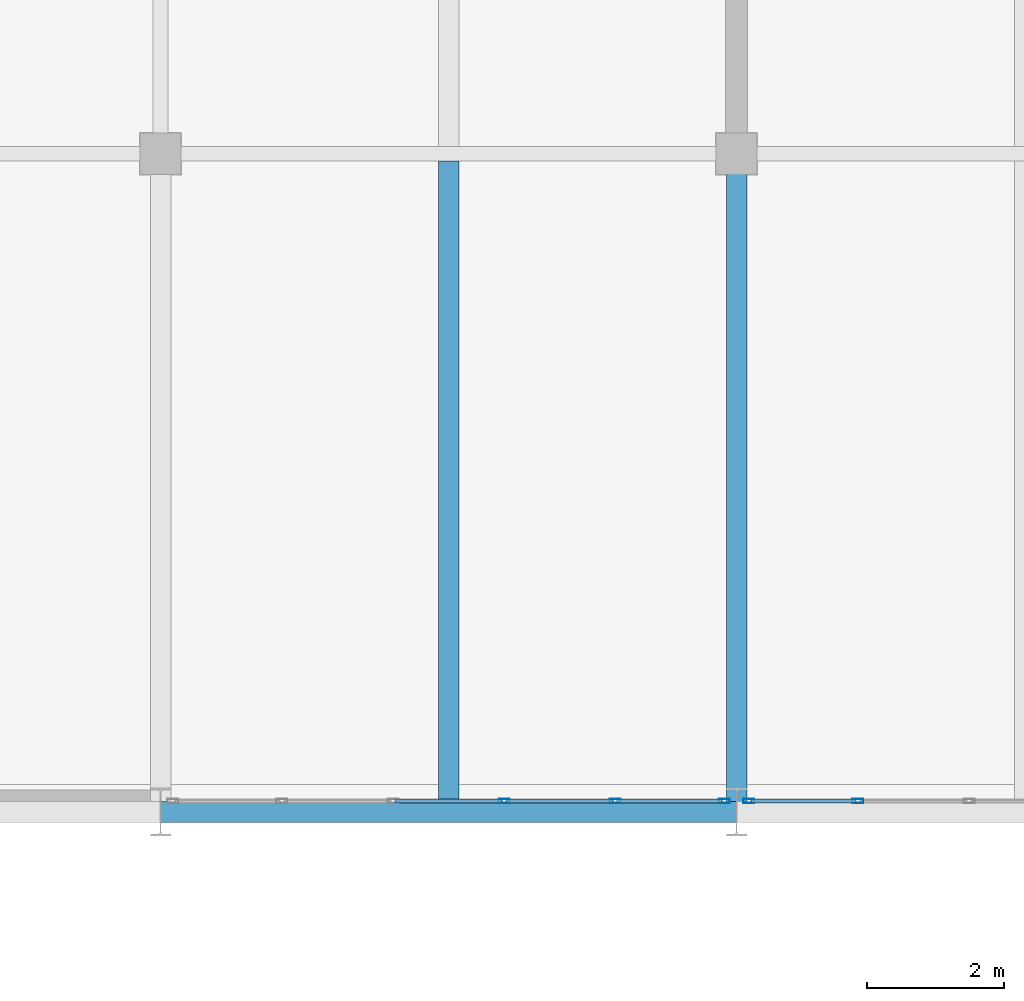
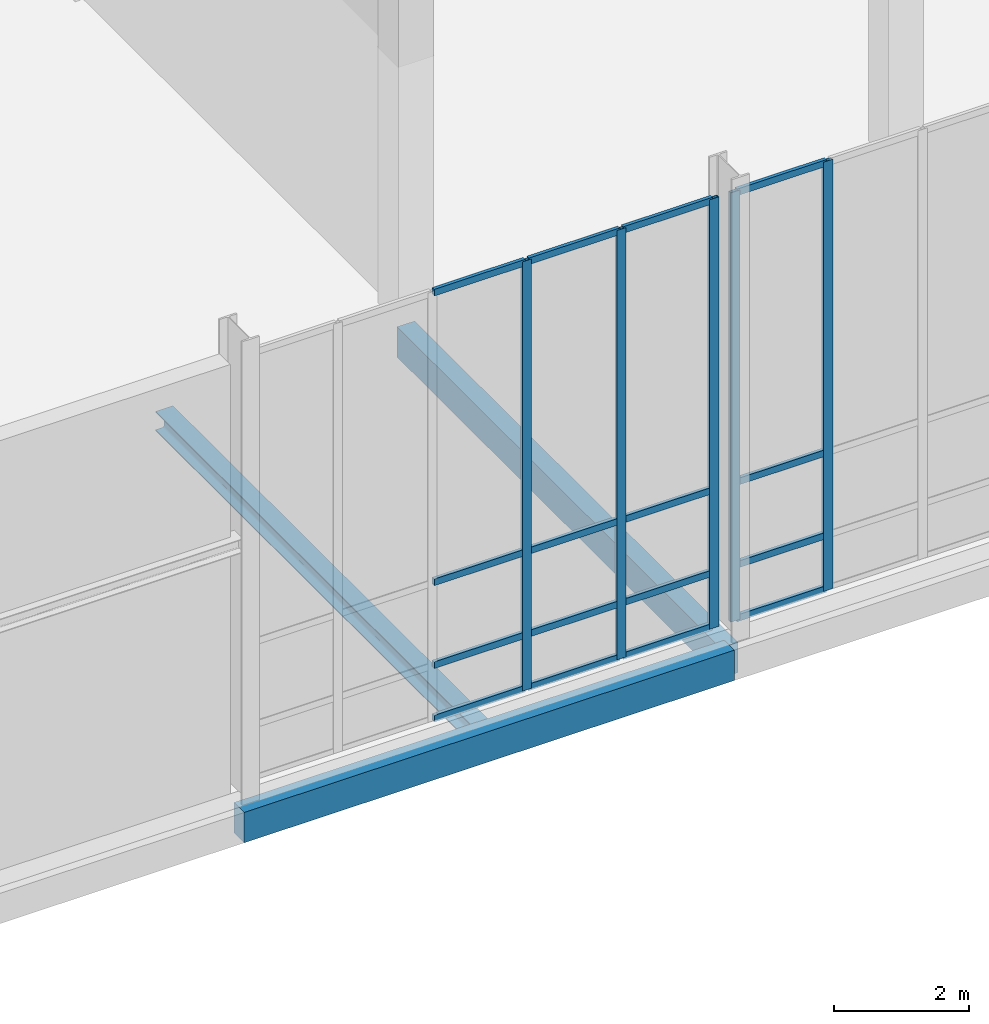
# One storey, part 29 of 131: 21 members, 3 beams, 2 elements without a shape of their own.
"""IFC4 building model written with IfcOpenShell, lengths in metres."""

from ifc_helpers import new_model, si_unit, direction, frame, origin, origin_2d, place, context, subcontext, project, spatial, rectangle, hollow_rectangle, i_section, extrude, material, material_profile, profile_set, type_object, element, aggregate, save


model = new_model("IFC4")

# Units and contexts
model_context = context("Model", 3, precision=1e-05, world=origin(), true_north=direction((0.0, 1.0)))
body_context = subcontext(model_context, "Body", "Model", "MODEL_VIEW")
ifc_project = project(units=[si_unit("LENGTHUNIT", "METRE"), si_unit("AREAUNIT", "SQUARE_METRE"), si_unit("VOLUMEUNIT", "CUBIC_METRE"), si_unit("PLANEANGLEUNIT", "RADIAN"), si_unit("MASSUNIT", "GRAM", prefix="KILO")], contexts=[model_context])

# Site, building, storey
site_placement = place(None, origin())
site = spatial("IfcSite", under=ifc_project, at=site_placement, CompositionType="ELEMENT")
building_placement = place(site_placement, origin())
building = spatial("IfcBuilding", under=site, at=building_placement, Name="Veltarok Museum of Natural Sciences", CompositionType="ELEMENT")
storey_placement = place(building_placement, origin())
storey = spatial("IfcBuildingStorey", under=building, at=storey_placement, Name="L00", CompositionType="ELEMENT", Elevation=0.0)

# Curtain wall, members
ifc_material_1 = material(Name="Low-iron triple insulated glass", Category="glass")
curtain_wall_type_1 = type_object("IfcCurtainWallType", Name="Curtain Wall System CW-V5S-L00-15-810x778 (V5 South Lab Curtain Wall L00 15-16 810x778cm)", PredefinedType="NOTDEFINED", material=ifc_material_1)
curtain_wall_1_placement = place(storey_placement, origin())
curtain_wall_1 = element("IfcCurtainWall", 1, at=curtain_wall_1_placement, inside=storey, type_object=curtain_wall_type_1, Name="Curtain Wall CW-V5S-L00-15-810x778 CW-0086", PredefinedType="NOTDEFINED")
ifc_material_2 = material(Name="Thermally broken anodised aluminium", Category="aluminium")
ifc_material_profile_1 = material_profile(ifc_material_2, hollow_rectangle(XDim=0.06005859375, YDim=0.1201171875, WallThickness=0.0048828125, at=origin_2d()), Name="CW TRANSOM 60x120x5")
ifc_profile_set_1 = profile_set([ifc_material_profile_1], Name="Thermally broken anodised aluminium")
member_type_1 = type_object("IfcMemberType", Name="Curtain Wall Horizontal Transom 60x120x5", PredefinedType="USERDEFINED", material=ifc_profile_set_1)
member_1_placement = place(storey_placement, frame((127.419921875, 0.159912109375, 0.030029296875), z_axis=(1.0, 0.0, 0.0), x_axis=(0.0, 1.0, 0.0)))
member_1 = element("IfcMember", 2, at=member_1_placement, type_object=member_type_1, Name="CW-V5S-L00-15-810x778 transom 3.1", ObjectType="TRANSOM", PredefinedType="USERDEFINED", context=body_context, shape_type="SweptSolid", body=[
    extrude(hollow_rectangle(XDim=0.06005859375, YDim=0.1201171875, WallThickness=0.0048828125, at=origin_2d()), origin(), (0.0, 0.0, 1.0), 1.56005859375),
])
member_2_placement = place(storey_placement, frame((127.419921875, 0.159912109375, 1.0), z_axis=(1.0, 0.0, 0.0), x_axis=(0.0, 1.0, 0.0)))
member_2 = element("IfcMember", 3, at=member_2_placement, type_object=member_type_1, Name="CW-V5S-L00-15-810x778 transom 3.2", ObjectType="TRANSOM", PredefinedType="USERDEFINED", context=body_context, shape_type="SweptSolid", body=[
    extrude(hollow_rectangle(XDim=0.06005859375, YDim=0.1201171875, WallThickness=0.0048828125, at=origin_2d()), origin(), (0.0, 0.0, 1.0), 1.56005859375),
])
member_3_placement = place(storey_placement, frame((127.419921875, 0.159912109375, 2.5), z_axis=(1.0, 0.0, 0.0), x_axis=(0.0, 1.0, 0.0)))
member_3 = element("IfcMember", 4, at=member_3_placement, type_object=member_type_1, Name="CW-V5S-L00-15-810x778 transom 3.3", ObjectType="TRANSOM", PredefinedType="USERDEFINED", context=body_context, shape_type="SweptSolid", body=[
    extrude(hollow_rectangle(XDim=0.06005859375, YDim=0.1201171875, WallThickness=0.0048828125, at=origin_2d()), origin(), (0.0, 0.0, 1.0), 1.56005859375),
])
member_4_placement = place(storey_placement, frame((127.419921875, 0.159912109375, 7.75), z_axis=(1.0, 0.0, 0.0), x_axis=(0.0, 1.0, 0.0)))
member_4 = element("IfcMember", 5, at=member_4_placement, type_object=member_type_1, Name="CW-V5S-L00-15-810x778 transom 3.4", ObjectType="TRANSOM", PredefinedType="USERDEFINED", context=body_context, shape_type="SweptSolid", body=[
    extrude(hollow_rectangle(XDim=0.06005859375, YDim=0.1201171875, WallThickness=0.0048828125, at=origin_2d()), origin(), (0.0, 0.0, 1.0), 1.56005859375),
])
member_5_placement = place(storey_placement, frame((129.0400390625, 0.159912109375, 0.030029296875), z_axis=(1.0, 0.0, 0.0), x_axis=(0.0, 1.0, 0.0)))
member_5 = element("IfcMember", 6, at=member_5_placement, type_object=member_type_1, Name="CW-V5S-L00-15-810x778 transom 4.1", ObjectType="TRANSOM", PredefinedType="USERDEFINED", context=body_context, shape_type="SweptSolid", body=[
    extrude(hollow_rectangle(XDim=0.06005859375, YDim=0.1201171875, WallThickness=0.0048828125, at=origin_2d()), origin(), (0.0, 0.0, 1.0), 1.56005859375),
])
member_6_placement = place(storey_placement, frame((129.0400390625, 0.159912109375, 1.0), z_axis=(1.0, 0.0, 0.0), x_axis=(0.0, 1.0, 0.0)))
member_6 = element("IfcMember", 7, at=member_6_placement, type_object=member_type_1, Name="CW-V5S-L00-15-810x778 transom 4.2", ObjectType="TRANSOM", PredefinedType="USERDEFINED", context=body_context, shape_type="SweptSolid", body=[
    extrude(hollow_rectangle(XDim=0.06005859375, YDim=0.1201171875, WallThickness=0.0048828125, at=origin_2d()), origin(), (0.0, 0.0, 1.0), 1.56005859375),
])
member_7_placement = place(storey_placement, frame((129.0400390625, 0.159912109375, 2.5), z_axis=(1.0, 0.0, 0.0), x_axis=(0.0, 1.0, 0.0)))
member_7 = element("IfcMember", 8, at=member_7_placement, type_object=member_type_1, Name="CW-V5S-L00-15-810x778 transom 4.3", ObjectType="TRANSOM", PredefinedType="USERDEFINED", context=body_context, shape_type="SweptSolid", body=[
    extrude(hollow_rectangle(XDim=0.06005859375, YDim=0.1201171875, WallThickness=0.0048828125, at=origin_2d()), origin(), (0.0, 0.0, 1.0), 1.56005859375),
])
member_8_placement = place(storey_placement, frame((129.0400390625, 0.159912109375, 7.75), z_axis=(1.0, 0.0, 0.0), x_axis=(0.0, 1.0, 0.0)))
member_8 = element("IfcMember", 9, at=member_8_placement, type_object=member_type_1, Name="CW-V5S-L00-15-810x778 transom 4.4", ObjectType="TRANSOM", PredefinedType="USERDEFINED", context=body_context, shape_type="SweptSolid", body=[
    extrude(hollow_rectangle(XDim=0.06005859375, YDim=0.1201171875, WallThickness=0.0048828125, at=origin_2d()), origin(), (0.0, 0.0, 1.0), 1.56005859375),
])
member_9_placement = place(storey_placement, frame((130.659912109375, 0.159912109375, 0.030029296875), z_axis=(1.0, 0.0, 0.0), x_axis=(0.0, 1.0, 0.0)))
member_9 = element("IfcMember", 10, at=member_9_placement, type_object=member_type_1, Name="CW-V5S-L00-15-810x778 transom 5.1", ObjectType="TRANSOM", PredefinedType="USERDEFINED", context=body_context, shape_type="SweptSolid", body=[
    extrude(hollow_rectangle(XDim=0.06005859375, YDim=0.1201171875, WallThickness=0.0048828125, at=origin_2d()), origin(), (0.0, 0.0, 1.0), 1.530029296875),
])
member_10_placement = place(storey_placement, frame((130.659912109375, 0.159912109375, 1.0), z_axis=(1.0, 0.0, 0.0), x_axis=(0.0, 1.0, 0.0)))
member_10 = element("IfcMember", 11, at=member_10_placement, type_object=member_type_1, Name="CW-V5S-L00-15-810x778 transom 5.2", ObjectType="TRANSOM", PredefinedType="USERDEFINED", context=body_context, shape_type="SweptSolid", body=[
    extrude(hollow_rectangle(XDim=0.06005859375, YDim=0.1201171875, WallThickness=0.0048828125, at=origin_2d()), origin(), (0.0, 0.0, 1.0), 1.530029296875),
])
member_11_placement = place(storey_placement, frame((130.659912109375, 0.159912109375, 2.5), z_axis=(1.0, 0.0, 0.0), x_axis=(0.0, 1.0, 0.0)))
member_11 = element("IfcMember", 12, at=member_11_placement, type_object=member_type_1, Name="CW-V5S-L00-15-810x778 transom 5.3", ObjectType="TRANSOM", PredefinedType="USERDEFINED", context=body_context, shape_type="SweptSolid", body=[
    extrude(hollow_rectangle(XDim=0.06005859375, YDim=0.1201171875, WallThickness=0.0048828125, at=origin_2d()), origin(), (0.0, 0.0, 1.0), 1.530029296875),
])
member_12_placement = place(storey_placement, frame((130.659912109375, 0.159912109375, 7.75), z_axis=(1.0, 0.0, 0.0), x_axis=(0.0, 1.0, 0.0)))
member_12 = element("IfcMember", 13, at=member_12_placement, type_object=member_type_1, Name="CW-V5S-L00-15-810x778 transom 5.4", ObjectType="TRANSOM", PredefinedType="USERDEFINED", context=body_context, shape_type="SweptSolid", body=[
    extrude(hollow_rectangle(XDim=0.06005859375, YDim=0.1201171875, WallThickness=0.0048828125, at=origin_2d()), origin(), (0.0, 0.0, 1.0), 1.530029296875),
])

curtain_wall_type_2 = type_object("IfcCurtainWallType", Name="Curtain Wall System CW-V5S-L00-16-810x778 (V5 South Lab Curtain Wall L00 16-17 810x778cm)", PredefinedType="NOTDEFINED", material=ifc_material_1)
curtain_wall_2_placement = place(storey_placement, origin())
curtain_wall_2 = element("IfcCurtainWall", 14, at=curtain_wall_2_placement, inside=storey, type_object=curtain_wall_type_2, Name="Curtain Wall CW-V5S-L00-16-810x778 CW-0087", PredefinedType="NOTDEFINED")
member_13_placement = place(storey_placement, frame((132.610107421875, 0.159912109375, 0.030029296875), z_axis=(1.0, 0.0, 0.0), x_axis=(0.0, 1.0, 0.0)))
member_13 = element("IfcMember", 15, at=member_13_placement, type_object=member_type_1, Name="CW-V5S-L00-16-810x778 transom 1.1", ObjectType="TRANSOM", PredefinedType="USERDEFINED", context=body_context, shape_type="SweptSolid", body=[
    extrude(hollow_rectangle(XDim=0.06005859375, YDim=0.1201171875, WallThickness=0.0048828125, at=origin_2d()), origin(), (0.0, 0.0, 1.0), 1.52978515625),
])
member_14_placement = place(storey_placement, frame((132.610107421875, 0.159912109375, 1.0), z_axis=(1.0, 0.0, 0.0), x_axis=(0.0, 1.0, 0.0)))
member_14 = element("IfcMember", 16, at=member_14_placement, type_object=member_type_1, Name="CW-V5S-L00-16-810x778 transom 1.2", ObjectType="TRANSOM", PredefinedType="USERDEFINED", context=body_context, shape_type="SweptSolid", body=[
    extrude(hollow_rectangle(XDim=0.06005859375, YDim=0.1201171875, WallThickness=0.0048828125, at=origin_2d()), origin(), (0.0, 0.0, 1.0), 1.52978515625),
])
member_15_placement = place(storey_placement, frame((132.610107421875, 0.159912109375, 2.5), z_axis=(1.0, 0.0, 0.0), x_axis=(0.0, 1.0, 0.0)))
member_15 = element("IfcMember", 17, at=member_15_placement, type_object=member_type_1, Name="CW-V5S-L00-16-810x778 transom 1.3", ObjectType="TRANSOM", PredefinedType="USERDEFINED", context=body_context, shape_type="SweptSolid", body=[
    extrude(hollow_rectangle(XDim=0.06005859375, YDim=0.1201171875, WallThickness=0.0048828125, at=origin_2d()), origin(), (0.0, 0.0, 1.0), 1.52978515625),
])
member_16_placement = place(storey_placement, frame((132.610107421875, 0.159912109375, 7.75), z_axis=(1.0, 0.0, 0.0), x_axis=(0.0, 1.0, 0.0)))
member_16 = element("IfcMember", 18, at=member_16_placement, type_object=member_type_1, Name="CW-V5S-L00-16-810x778 transom 1.4", ObjectType="TRANSOM", PredefinedType="USERDEFINED", context=body_context, shape_type="SweptSolid", body=[
    extrude(hollow_rectangle(XDim=0.06005859375, YDim=0.1201171875, WallThickness=0.0048828125, at=origin_2d()), origin(), (0.0, 0.0, 1.0), 1.52978515625),
])

# Member
ifc_material_profile_2 = material_profile(ifc_material_2, hollow_rectangle(XDim=0.06005859375, YDim=0.159912109375, WallThickness=0.0048828125, at=origin_2d()), Name="CW MULLION 60x160x5")
ifc_profile_set_2 = profile_set([ifc_material_profile_2], Name="Thermally broken anodised aluminium")
member_type_2 = type_object("IfcMemberType", Name="Curtain Wall Vertical Mullion 60x160x5", PredefinedType="MULLION", material=ifc_profile_set_2)
member_17_placement = place(storey_placement, frame((129.010009765625, 0.159912109375, 0.0), z_axis=(0.0, 0.0, 1.0), x_axis=(0.0, 1.0, 0.0)))
member_17 = element("IfcMember", 19, at=member_17_placement, type_object=member_type_2, Name="CW-V5S-L00-15-810x778 mullion 4", PredefinedType="MULLION", context=body_context, shape_type="SweptSolid", body=[
    extrude(hollow_rectangle(XDim=0.06005859375, YDim=0.159912109375, WallThickness=0.0048828125, at=origin_2d()), origin(), (0.0, 0.0, 1.0), 7.780029296875),
])

member_18_placement = place(storey_placement, frame((130.6298828125, 0.159912109375, 0.0), z_axis=(0.0, 0.0, 1.0), x_axis=(0.0, 1.0, 0.0)))
member_18 = element("IfcMember", 20, at=member_18_placement, type_object=member_type_2, Name="CW-V5S-L00-15-810x778 mullion 5", PredefinedType="MULLION", context=body_context, shape_type="SweptSolid", body=[
    extrude(hollow_rectangle(XDim=0.06005859375, YDim=0.159912109375, WallThickness=0.0048828125, at=origin_2d()), origin(), (0.0, 0.0, 1.0), 7.780029296875),
])

member_19_placement = place(storey_placement, frame((132.219970703125, 0.159912109375, 0.0), z_axis=(0.0, 0.0, 1.0), x_axis=(0.0, 1.0, 0.0)))
member_19 = element("IfcMember", 21, at=member_19_placement, type_object=member_type_2, Name="CW-V5S-L00-15-810x778 mullion 6", PredefinedType="MULLION", context=body_context, shape_type="SweptSolid", body=[
    extrude(hollow_rectangle(XDim=0.06005859375, YDim=0.159912109375, WallThickness=0.0048828125, at=origin_2d()), origin(), (0.0, 0.0, 1.0), 7.780029296875),
])

aggregate(curtain_wall_1, [member_17, member_18, member_19, member_1, member_2, member_3, member_4, member_5, member_6, member_7, member_8, member_9, member_10, member_11, member_12])

member_20_placement = place(storey_placement, frame((132.580078125, 0.159912109375, 0.0), z_axis=(0.0, 0.0, 1.0), x_axis=(0.0, 1.0, 0.0)))
member_20 = element("IfcMember", 22, at=member_20_placement, type_object=member_type_2, Name="CW-V5S-L00-16-810x778 mullion 1", PredefinedType="MULLION", context=body_context, shape_type="SweptSolid", body=[
    extrude(hollow_rectangle(XDim=0.06005859375, YDim=0.159912109375, WallThickness=0.0048828125, at=origin_2d()), origin(), (0.0, 0.0, 1.0), 7.780029296875),
])

member_21_placement = place(storey_placement, frame((134.169921875, 0.159912109375, 0.0), z_axis=(0.0, 0.0, 1.0), x_axis=(0.0, 1.0, 0.0)))
member_21 = element("IfcMember", 23, at=member_21_placement, type_object=member_type_2, Name="CW-V5S-L00-16-810x778 mullion 2", PredefinedType="MULLION", context=body_context, shape_type="SweptSolid", body=[
    extrude(hollow_rectangle(XDim=0.06005859375, YDim=0.159912109375, WallThickness=0.0048828125, at=origin_2d()), origin(), (0.0, 0.0, 1.0), 7.780029296875),
])

aggregate(curtain_wall_2, [member_20, member_21, member_13, member_14, member_15, member_16])

# Beams
ifc_material_3 = material(Name="Precast concrete C40/50", Category="concrete")
ifc_material_profile_3 = material_profile(ifc_material_3, rectangle(XDim=0.300048828125, YDim=0.550048828125, at=origin_2d()), Name="RC 300x550")
ifc_profile_set_3 = profile_set([ifc_material_profile_3], Name="Precast concrete C40/50")
beam_type_1 = type_object("IfcBeamType", Name="East Wing Precast Spandrel RC 300x550", PredefinedType="SPANDREL", material=ifc_profile_set_3)
beam_1_placement = place(storey_placement, frame((124.0, 0.0, -0.574951171875), z_axis=(1.0, 0.0, 0.0), x_axis=(0.0, 1.0, 0.0)))
element("IfcBeam", 24, at=beam_1_placement, inside=storey, type_object=beam_type_1, Name="Beam BM-SP02 L00 15-16/A", PredefinedType="SPANDREL", context=body_context, shape_type="SweptSolid", body=[
    extrude(rectangle(XDim=0.300048828125, YDim=0.550048828125, at=origin_2d()), origin(), (0.0, 0.0, 1.0), 8.39990234375),
])
beam_2_placement = place(storey_placement, frame((132.39990234375, 0.0, -0.574951171875), z_axis=(0.0, 1.0, 0.0), x_axis=(-1.0, 0.0, 0.0)))
element("IfcBeam", 25, at=beam_2_placement, inside=storey, type_object=beam_type_1, Name="Beam BM-SP02 L00 16/A-B", PredefinedType="SPANDREL", context=body_context, shape_type="SweptSolid", body=[
    extrude(rectangle(XDim=0.300048828125, YDim=0.550048828125, at=origin_2d()), origin(), (0.0, 0.0, 1.0), 9.60009765625),
])
ifc_material_4 = material(Name="Steel S355J2", Category="steel")
ifc_material_profile_4 = material_profile(ifc_material_4, i_section(OverallWidth=0.300048828125, OverallDepth=0.35009765625, WebThickness=0.010009765625, FlangeThickness=0.017578125, FilletRadius=0.027099609375, at=origin_2d()), Name="HEA 360")
ifc_profile_set_4 = profile_set([ifc_material_profile_4], Name="Steel S355J2")
beam_type_2 = type_object("IfcBeamType", Name="Long-Span Gallery Joist HEA 360", PredefinedType="JOIST", material=ifc_profile_set_4)
beam_3_placement = place(storey_placement, frame((128.199951171875, 0.14794921875, -0.47509765625), z_axis=(0.0, 1.0, 0.0), x_axis=(-1.0, 0.0, 0.0)))
element("IfcBeam", 26, at=beam_3_placement, inside=storey, type_object=beam_type_2, Name="Secondary Joist BM-J07 L00 15-16/A-B.1", PredefinedType="JOIST", context=body_context, shape_type="SweptSolid", body=[
    extrude(i_section(OverallWidth=0.300048828125, OverallDepth=0.35009765625, WebThickness=0.010009765625, FlangeThickness=0.017578125, FilletRadius=0.027099609375, at=origin_2d()), origin(), (0.0, 0.0, 1.0), 9.34912109375),
])

save(model, "model.ifc")
